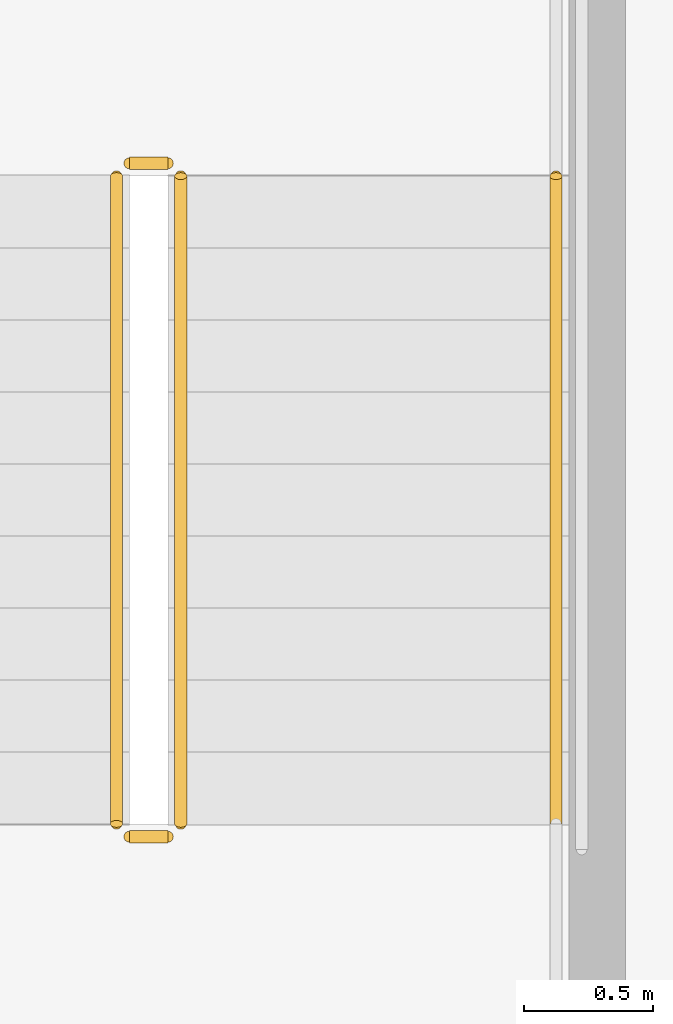
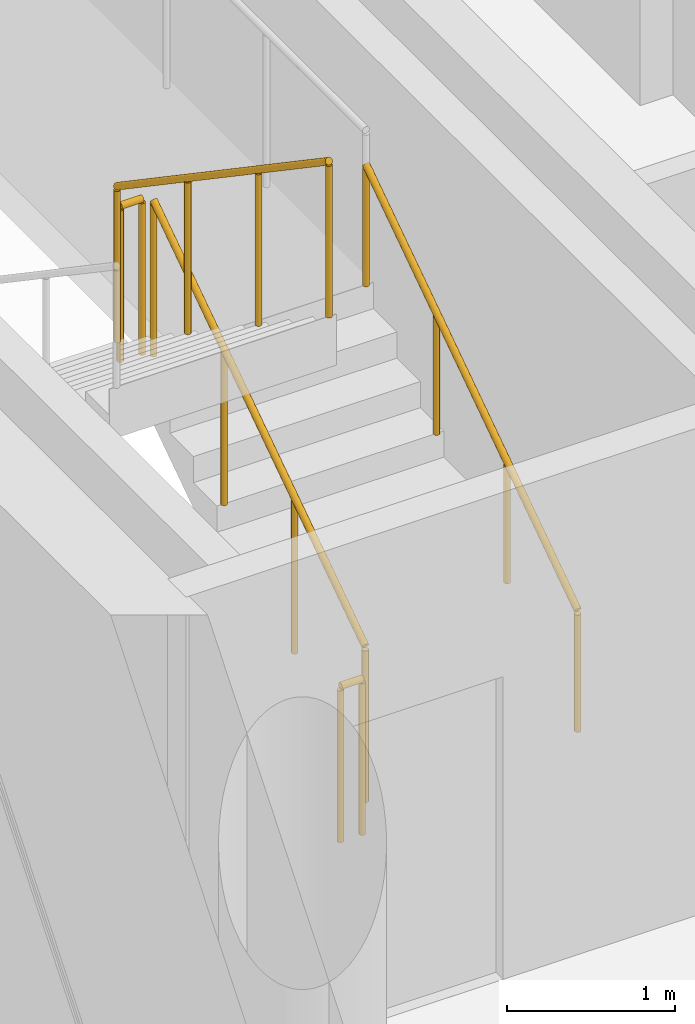
# One storey, part 14 of 16: 5 railings.
"""IFC4 building model written with IfcOpenShell, lengths in metres."""

from ifc_helpers import new_model, si_unit, direction, frame, origin, origin_2d, place, context, subcontext, project, spatial, circle, extrude, material, type_object, element, save


model = new_model("IFC4")

# Units and contexts
model_context = context("Model", 3, precision=1e-05, world=origin(), true_north=direction((0.0, 1.0)))
body_context = subcontext(model_context, "Body", "Model", "MODEL_VIEW")
ifc_project = project(units=[si_unit("LENGTHUNIT", "METRE"), si_unit("AREAUNIT", "SQUARE_METRE"), si_unit("VOLUMEUNIT", "CUBIC_METRE"), si_unit("PLANEANGLEUNIT", "RADIAN"), si_unit("MASSUNIT", "GRAM", prefix="KILO")], contexts=[model_context])

# Site, building, storey
site_placement = place(None, origin())
site = spatial("IfcSite", under=ifc_project, at=site_placement, CompositionType="ELEMENT")
building_placement = place(site_placement, origin())
building = spatial("IfcBuilding", under=site, at=building_placement, Name="Khairoan Windgate Tower", CompositionType="ELEMENT")
storey_placement = place(building_placement, frame((0.0, 0.0, 281.39990234375)))
storey = spatial("IfcBuildingStorey", under=building, at=storey_placement, Name="L67", CompositionType="ELEMENT", Elevation=281.39990234375)

# Railings
ifc_material_1 = material(Name="Anodised Bronze Aluminium 6063-T6", Category="aluminium")
railing_type_1 = type_object("IfcRailingType", Name="Stair Wall Handrail SHR-900", PredefinedType="HANDRAIL", material=ifc_material_1)
railing_1_placement = place(storey_placement, frame((-16.199951171875, 2.9599609375, 0.190185546875)))
element("IfcRailing", 1, at=railing_1_placement, inside=storey, type_object=railing_type_1, Name="L67 ST2 stair handrail 1", PredefinedType="HANDRAIL", context=body_context, shape_type="SweptSolid", body=[
    extrude(circle(Radius=0.02392578125, at=origin_2d()), frame((0.0, 0.0, 0.8759765625), z_axis=(0.0, 0.827483756001, 0.561489655786), x_axis=(-1.0, 0.0, 0.0)), (0.0, 0.0, 1.0), 3.04541015625),
    extrude(circle(Radius=0.02099609375, at=origin_2d()), origin(), (0.0, 0.0, 1.0), 0.851806640625),
    extrude(circle(Radius=0.02099609375, at=origin_2d()), frame((0.0, 0.840087890625, 0.570068359375)), (0.0, 0.0, 1.0), 0.851806640625),
    extrude(circle(Radius=0.02099609375, at=origin_2d()), frame((0.0, 1.679931640625, 1.139892578125)), (0.0, 0.0, 1.0), 0.851806640625),
    extrude(circle(Radius=0.02099609375, at=origin_2d()), frame((0.0, 2.52001953125, 1.7099609375)), (0.0, 0.0, 1.0), 0.851806640625),
])
ifc_material_2 = material(Name="Steel S355", Category="steel")
railing_type_2 = type_object("IfcRailingType", Name="Stairwell Safety Guardrail SGR-1150", PredefinedType="GUARDRAIL", material=ifc_material_2)
railing_2_placement = place(storey_placement, frame((-17.659912109375, 2.9599609375, 0.190185546875)))
element("IfcRailing", 2, at=railing_2_placement, inside=storey, type_object=railing_type_2, Name="L67 ST2 stair guard 1", PredefinedType="GUARDRAIL", context=body_context, shape_type="SweptSolid", body=[
    extrude(circle(Radius=0.02392578125, at=origin_2d()), frame((0.0, 0.0, 1.1259765625), z_axis=(0.0, 0.827483756001, 0.561489655786), x_axis=(-1.0, 0.0, 0.0)), (0.0, 0.0, 1.0), 3.04541015625),
    extrude(circle(Radius=0.02099609375, at=origin_2d()), origin(), (0.0, 0.0, 1.0), 1.101806640625),
    extrude(circle(Radius=0.02099609375, at=origin_2d()), frame((0.0, 0.840087890625, 0.570068359375)), (0.0, 0.0, 1.0), 1.101806640625),
    extrude(circle(Radius=0.02099609375, at=origin_2d()), frame((0.0, 1.679931640625, 1.139892578125)), (0.0, 0.0, 1.0), 1.101806640625),
    extrude(circle(Radius=0.02099609375, at=origin_2d()), frame((0.0, 2.52001953125, 1.7099609375)), (0.0, 0.0, 1.0), 1.101806640625),
])
railing_3_placement = place(storey_placement, frame((-17.7099609375, 5.530029296875, 1.900146484375)))
element("IfcRailing", 3, at=railing_3_placement, inside=storey, type_object=railing_type_2, Name="L67 ST2 stair guard 2", PredefinedType="GUARDRAIL", context=body_context, shape_type="SweptSolid", body=[
    extrude(circle(Radius=0.02392578125, at=origin_2d()), frame((0.0, 0.0, 1.1259765625), z_axis=(-1.0, 0.0, 0.0), x_axis=(0.0, -1.0, 0.0)), (0.0, 0.0, 1.0), 0.150146484375),
    extrude(circle(Radius=0.02099609375, at=origin_2d()), origin(), (0.0, 0.0, 1.0), 1.101806640625),
    extrude(circle(Radius=0.02099609375, at=origin_2d()), frame((-0.150146484375, 0.0, 0.0)), (0.0, 0.0, 1.0), 1.101806640625),
])
railing_4_placement = place(storey_placement, frame((-17.909912109375, 5.47998046875, 2.090087890625)))
element("IfcRailing", 4, at=railing_4_placement, inside=storey, type_object=railing_type_2, Name="L67 ST2 stair guard 6", PredefinedType="GUARDRAIL", context=body_context, shape_type="SweptSolid", body=[
    extrude(circle(Radius=0.02392578125, at=origin_2d()), frame((0.0, 0.0, 1.1259765625), z_axis=(0.0, -0.827483756001, 0.561489655786), x_axis=(1.0, 0.0, 0.0)), (0.0, 0.0, 1.0), 3.04541015625),
    extrude(circle(Radius=0.02099609375, at=origin_2d()), origin(), (0.0, 0.0, 1.0), 1.101806640625),
    extrude(circle(Radius=0.02099609375, at=origin_2d()), frame((0.0, -0.840087890625, 0.570068359375)), (0.0, 0.0, 1.0), 1.101806640625),
    extrude(circle(Radius=0.02099609375, at=origin_2d()), frame((0.0, -1.679931640625, 1.139892578125)), (0.0, 0.0, 1.0), 1.101806640625),
    extrude(circle(Radius=0.02099609375, at=origin_2d()), frame((0.0, -2.52001953125, 1.7099609375)), (0.0, 0.0, 1.0), 1.101806640625),
])
railing_5_placement = place(storey_placement, frame((-17.7099609375, 2.909912109375, 0.0)))
element("IfcRailing", 5, at=railing_5_placement, inside=storey, type_object=railing_type_2, Name="L67 ST2 stair guard 7", PredefinedType="GUARDRAIL", context=body_context, shape_type="SweptSolid", body=[
    extrude(circle(Radius=0.02392578125, at=origin_2d()), frame((0.0, 0.0, 1.1259765625), z_axis=(-1.0, 0.0, 0.0), x_axis=(0.0, -1.0, 0.0)), (0.0, 0.0, 1.0), 0.150146484375),
    extrude(circle(Radius=0.02099609375, at=origin_2d()), origin(), (0.0, 0.0, 1.0), 1.101806640625),
    extrude(circle(Radius=0.02099609375, at=origin_2d()), frame((-0.150146484375, 0.0, 0.0)), (0.0, 0.0, 1.0), 1.101806640625),
])

save(model, "model.ifc")
